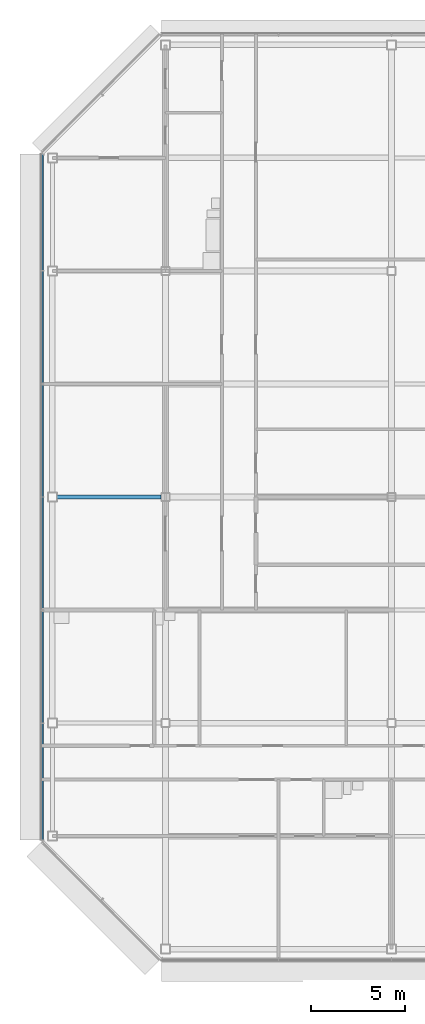
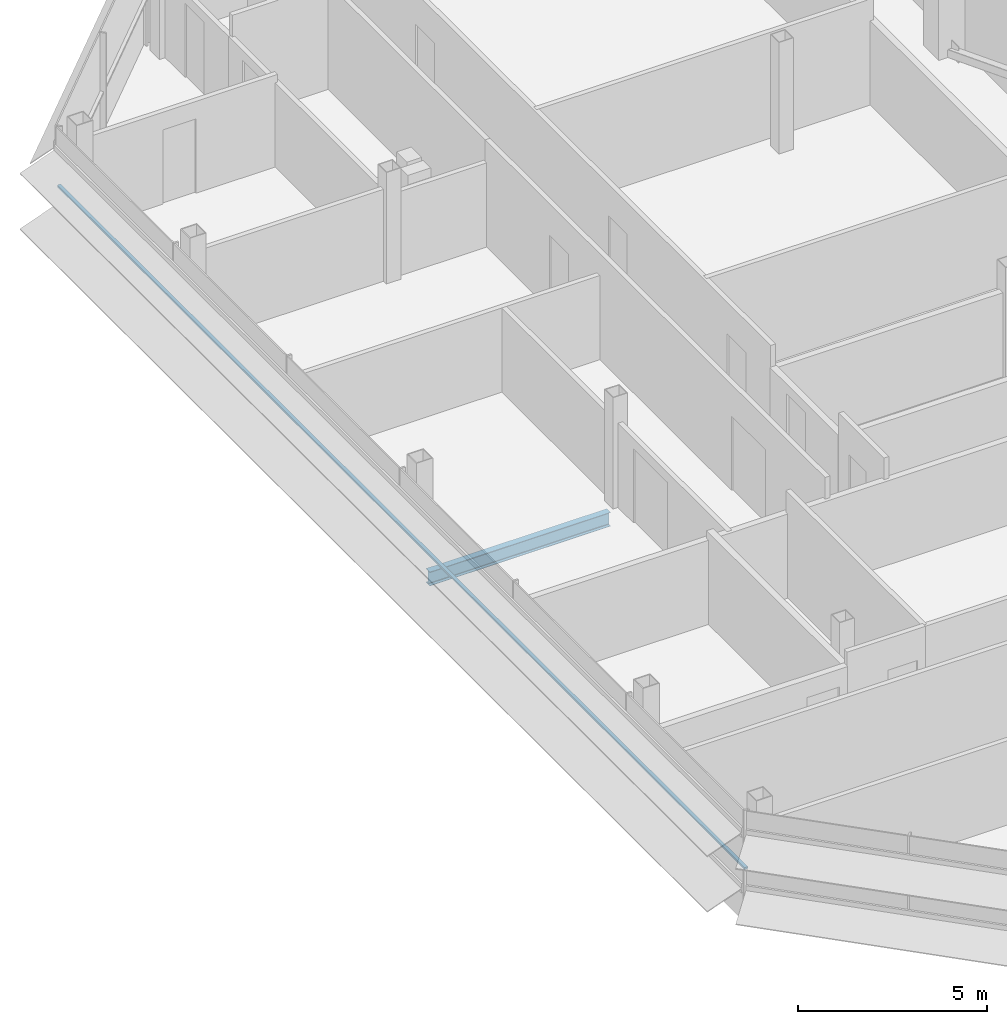
# One storey, part 7 of 28: 1 beam, 1 member, 1 element without a shape of its own.
"""IFC4 building model written with IfcOpenShell, lengths in metres."""

from ifc_helpers import new_model, si_unit, direction, frame, origin, origin_2d, place, context, subcontext, project, spatial, rectangle, i_section, extrude, material, material_profile, profile_set, type_object, element, aggregate, save


model = new_model("IFC4")

# Units and contexts
model_context = context("Model", 3, precision=1e-05, world=origin(), true_north=direction((0.0, 1.0)))
body_context = subcontext(model_context, "Body", "Model", "MODEL_VIEW")
ifc_project = project(units=[si_unit("LENGTHUNIT", "METRE"), si_unit("AREAUNIT", "SQUARE_METRE"), si_unit("VOLUMEUNIT", "CUBIC_METRE"), si_unit("PLANEANGLEUNIT", "RADIAN"), si_unit("MASSUNIT", "GRAM", prefix="KILO")], contexts=[model_context])

# Site, building, storey
site_placement = place(None, origin())
site = spatial("IfcSite", under=ifc_project, at=site_placement, CompositionType="ELEMENT")
building_placement = place(site_placement, origin())
building = spatial("IfcBuilding", under=site, at=building_placement, Name="Sorahane Residences", CompositionType="ELEMENT")
storey_placement = place(building_placement, frame((0.0, 0.0, 308.800048828125)))
storey = spatial("IfcBuildingStorey", under=building, at=storey_placement, Name="L73", CompositionType="ELEMENT", Elevation=308.800048828125)

# Curtain wall, member
ifc_material_1 = material(Name="Dark low-e glass and black anodised aluminium", Category="aluminium")
curtain_wall_type = type_object("IfcCurtainWallType", Name="Curtain wall CW-1 Typical unitised wall", PredefinedType="NOTDEFINED", material=ifc_material_1)
curtain_wall_placement = place(storey_placement, origin())
curtain_wall = element("IfcCurtainWall", 1, at=curtain_wall_placement, inside=storey, type_object=curtain_wall_type, Name="CW-1 curtain wall L73 W1", PredefinedType="NOTDEFINED")
ifc_material_2 = material(Name="Black anodised aluminium", Category="aluminium")
ifc_material_profile_1 = material_profile(ifc_material_2, rectangle(XDim=0.10009765625, YDim=0.06005859375, at=origin_2d()), Name="Curtain wall transom CW-1 black anodised aluminium 60x100")
ifc_profile_set_1 = profile_set([ifc_material_profile_1], Name="Black anodised aluminium")
member_type = type_object("IfcMemberType", Name="Curtain wall transom CW-1 black anodised aluminium 60x100", PredefinedType="USERDEFINED", material=ifc_profile_set_1)
member_placement = place(storey_placement, frame((-18.530029296875, 42.198486328125, 1.5), z_axis=(0.0, -1.0, 0.0), x_axis=(1.0, 0.0, 0.0)))
member = element("IfcMember", 2, at=member_placement, type_object=member_type, Name="CW-1 transom L73 W1", ObjectType="TRANSOM", PredefinedType="USERDEFINED", context=body_context, shape_type="SweptSolid", body=[
    extrude(rectangle(XDim=0.10009765625, YDim=0.06005859375, at=origin_2d()), origin(), (0.0, 0.0, 1.0), 36.39697265625),
])
aggregate(curtain_wall, [member])

# Beam
ifc_material_3 = material(Name="Steel Q355B", Category="steel")
ifc_material_profile_2 = material_profile(ifc_material_3, i_section(OverallWidth=0.199951171875, OverallDepth=0.449951171875, WebThickness=0.009033203125, FlangeThickness=0.013916015625, FilletRadius=0.02001953125, at=origin_2d()), Name="HN 450x200x9x14")
ifc_profile_set_2 = profile_set([ifc_material_profile_2], Name="Steel Q355B")
beam_type = type_object("IfcBeamType", Name="Steel floor beam HN 450x200x9x14 Q355B", PredefinedType="BEAM", material=ifc_profile_set_2)
beam_placement = place(storey_placement, frame((-17.75, 24.0, -0.405029296875), z_axis=(1.0, 0.0, 0.0), x_axis=(0.0, 1.0, 0.0)))
element("IfcBeam", 3, at=beam_placement, inside=storey, type_object=beam_type, Name="Beam L73 011", PredefinedType="BEAM", context=body_context, shape_type="SweptSolid", body=[
    extrude(i_section(OverallWidth=0.199951171875, OverallDepth=0.449951171875, WebThickness=0.009033203125, FlangeThickness=0.013916015625, FilletRadius=0.02001953125, at=origin_2d()), origin(), (0.0, 0.0, 1.0), 5.52490234375),
])

save(model, "model.ifc")
